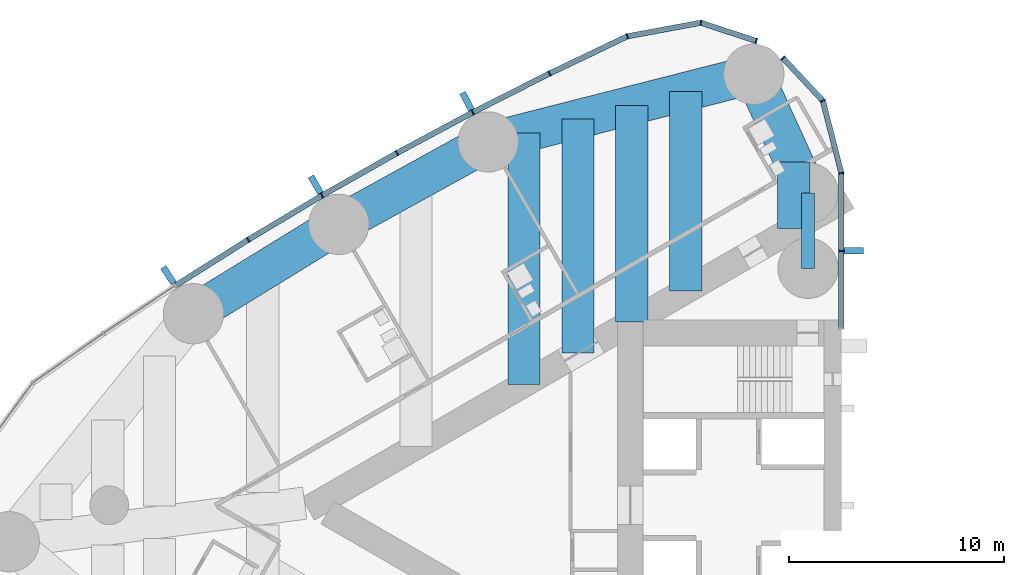
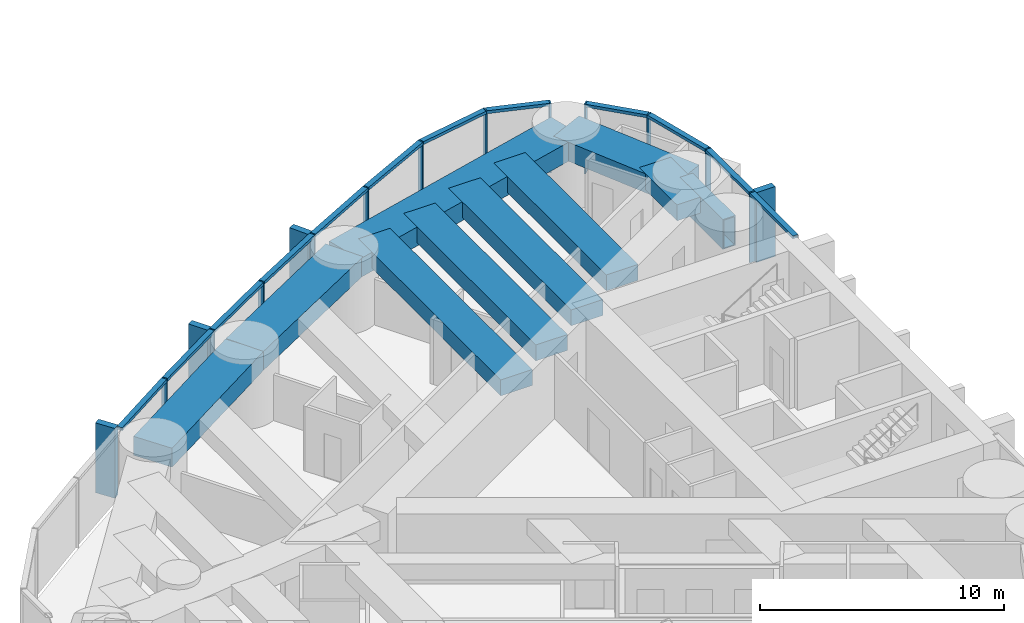
# One storey, part 5 of 19: 28 members, 10 beams, 2 elements without a shape of their own.
"""IFC4 building model written with IfcOpenShell, lengths in metres."""

from ifc_helpers import new_model, si_unit, direction, frame, origin, origin_2d, place, context, subcontext, project, spatial, rectangle, hollow_rectangle, extrude, material, material_profile, profile_set, type_object, element, aggregate, save


model = new_model("IFC4")

# Units and contexts
model_context = context("Model", 3, precision=1e-05, world=origin(), true_north=direction((0.0, 1.0)))
body_context = subcontext(model_context, "Body", "Model", "MODEL_VIEW")
ifc_project = project(units=[si_unit("LENGTHUNIT", "METRE"), si_unit("AREAUNIT", "SQUARE_METRE"), si_unit("VOLUMEUNIT", "CUBIC_METRE"), si_unit("PLANEANGLEUNIT", "RADIAN"), si_unit("MASSUNIT", "GRAM", prefix="KILO")], contexts=[model_context])

# Site, building, storey
site_placement = place(None, origin())
site = spatial("IfcSite", under=ifc_project, at=site_placement, CompositionType="ELEMENT")
building_placement = place(site_placement, origin())
building = spatial("IfcBuilding", under=site, at=building_placement, Name="Lancet Gate Hotel", CompositionType="ELEMENT")
storey_placement = place(building_placement, frame((0.0, 0.0, 191.300048828125)))
storey = spatial("IfcBuildingStorey", under=building, at=storey_placement, Name="L51", CompositionType="ELEMENT", Elevation=191.300048828125)

# Curtain wall, members
ifc_material_1 = material(Name="Aluminium curtain wall", Category="aluminium")
curtain_wall_type = type_object("IfcCurtainWallType", Name="Tower unitised curtain wall", PredefinedType="USERDEFINED", material=ifc_material_1)
curtain_wall_1_placement = place(storey_placement, origin())
curtain_wall_1 = element("IfcCurtainWall", 1, at=curtain_wall_1_placement, inside=storey, type_object=curtain_wall_type, Name="T1 L51 curtain wall 1", ObjectType="UNITISED CURTAIN WALL", PredefinedType="USERDEFINED")
ifc_material_2 = material(Name="Aluminium mullion", Category="aluminium")
ifc_material_profile_1 = material_profile(ifc_material_2, rectangle(XDim=0.06494140625, YDim=0.25, at=origin_2d()), Name="MULLION 65x250")
ifc_profile_set_1 = profile_set([ifc_material_profile_1], Name="Aluminium mullion")
member_type_1 = type_object("IfcMemberType", Name="Aluminium mullion 65x250", PredefinedType="MULLION", material=ifc_profile_set_1)
member_1_placement = place(storey_placement, frame((-27.5, 11.811767578125, 0.0), z_axis=(0.0, 0.0, 1.0), x_axis=(0.0, 1.0, 0.0)))
member_1 = element("IfcMember", 2, at=member_1_placement, type_object=member_type_1, Name="T1 L51 curtain wall 1 mullion 2", PredefinedType="MULLION", context=body_context, shape_type="SweptSolid", body=[
    extrude(rectangle(XDim=0.06494140625, YDim=0.25, at=origin_2d()), origin(), (0.0, 0.0, 1.0), 3.5),
])
member_2_placement = place(storey_placement, frame((-27.5, 15.42333984375, 0.0), z_axis=(0.0, 0.0, 1.0), x_axis=(-0.122467472845, 0.992472527627, 0.0)))
member_2 = element("IfcMember", 3, at=member_2_placement, type_object=member_type_1, Name="T1 L51 curtain wall 1 mullion 3", PredefinedType="MULLION", context=body_context, shape_type="SweptSolid", body=[
    extrude(rectangle(XDim=0.06494140625, YDim=0.25, at=origin_2d()), origin(), (0.0, 0.0, 1.0), 3.5),
])
member_3_placement = place(storey_placement, frame((-28.360595703125, 18.7861328125, 0.0), z_axis=(0.0, 0.0, 1.0), x_axis=(-0.452507601198, 0.891760545695, 0.0)))
member_3 = element("IfcMember", 4, at=member_3_placement, type_object=member_type_1, Name="T1 L51 curtain wall 1 mullion 4", PredefinedType="MULLION", context=body_context, shape_type="SweptSolid", body=[
    extrude(rectangle(XDim=0.06494140625, YDim=0.25, at=origin_2d()), origin(), (0.0, 0.0, 1.0), 3.5),
])
member_4_placement = place(storey_placement, frame((-30.210693359375, 20.765625, 0.0), z_axis=(0.0, 0.0, 1.0), x_axis=(-0.682844962172, 0.730563315282, 0.0)))
member_4 = element("IfcMember", 5, at=member_4_placement, type_object=member_type_1, Name="T1 L51 curtain wall 1 mullion 5", PredefinedType="MULLION", context=body_context, shape_type="SweptSolid", body=[
    extrude(rectangle(XDim=0.06494140625, YDim=0.25, at=origin_2d()), origin(), (0.0, 0.0, 1.0), 3.5),
])

curtain_wall_2_placement = place(storey_placement, origin())
curtain_wall_2 = element("IfcCurtainWall", 6, at=curtain_wall_2_placement, inside=storey, type_object=curtain_wall_type, Name="T1 L51 curtain wall 2", ObjectType="UNITISED CURTAIN WALL", PredefinedType="USERDEFINED")
member_5_placement = place(storey_placement, frame((-31.45263671875, 21.5595703125, 0.0), z_axis=(0.0, 0.0, 1.0), x_axis=(-0.949848055084, 0.312711803827, 0.0)))
member_5 = element("IfcMember", 7, at=member_5_placement, type_object=member_type_1, Name="T1 L51 curtain wall 2 mullion 1", PredefinedType="MULLION", context=body_context, shape_type="SweptSolid", body=[
    extrude(rectangle(XDim=0.06494140625, YDim=0.25, at=origin_2d()), origin(), (0.0, 0.0, 1.0), 3.5),
])
member_6_placement = place(storey_placement, frame((-34.02783203125, 22.407470703125, 0.0), z_axis=(0.0, 0.0, 1.0), x_axis=(-0.999350473622, 0.036036521361, 0.0)))
member_6 = element("IfcMember", 8, at=member_6_placement, type_object=member_type_1, Name="T1 L51 curtain wall 2 mullion 2", PredefinedType="MULLION", context=body_context, shape_type="SweptSolid", body=[
    extrude(rectangle(XDim=0.06494140625, YDim=0.25, at=origin_2d()), origin(), (0.0, 0.0, 1.0), 3.5),
])
member_7_placement = place(storey_placement, frame((-37.44091796875, 21.775634765625, 0.0), z_axis=(0.0, 0.0, 1.0), x_axis=(-0.948119321052, -0.317914694609, 0.0)))
member_7 = element("IfcMember", 9, at=member_7_placement, type_object=member_type_1, Name="T1 L51 curtain wall 2 mullion 3", PredefinedType="MULLION", context=body_context, shape_type="SweptSolid", body=[
    extrude(rectangle(XDim=0.06494140625, YDim=0.25, at=origin_2d()), origin(), (0.0, 0.0, 1.0), 3.5),
])
member_8_placement = place(storey_placement, frame((-41.0498046875, 20.052978515625, 0.0), z_axis=(0.0, 0.0, 1.0), x_axis=(-0.897324392142, -0.441371652088, 0.0)))
member_8 = element("IfcMember", 10, at=member_8_placement, type_object=member_type_1, Name="T1 L51 curtain wall 2 mullion 4", PredefinedType="MULLION", context=body_context, shape_type="SweptSolid", body=[
    extrude(rectangle(XDim=0.06494140625, YDim=0.25, at=origin_2d()), origin(), (0.0, 0.0, 1.0), 3.5),
])
member_9_placement = place(storey_placement, frame((-44.6171875, 18.245849609375, 0.0), z_axis=(0.0, 0.0, 1.0), x_axis=(-0.886694440064, -0.462355891019, 0.0)))
member_9 = element("IfcMember", 11, at=member_9_placement, type_object=member_type_1, Name="T1 L51 curtain wall 2 mullion 5", PredefinedType="MULLION", context=body_context, shape_type="SweptSolid", body=[
    extrude(rectangle(XDim=0.06494140625, YDim=0.25, at=origin_2d()), origin(), (0.0, 0.0, 1.0), 3.5),
])
member_10_placement = place(storey_placement, frame((-48.140869140625, 16.355224609375, 0.0), z_axis=(0.0, 0.0, 1.0), x_axis=(-0.87557384965, -0.483084292654, 0.0)))
member_10 = element("IfcMember", 12, at=member_10_placement, type_object=member_type_1, Name="T1 L51 curtain wall 2 mullion 6", PredefinedType="MULLION", context=body_context, shape_type="SweptSolid", body=[
    extrude(rectangle(XDim=0.06494140625, YDim=0.25, at=origin_2d()), origin(), (0.0, 0.0, 1.0), 3.5),
])
member_11_placement = place(storey_placement, frame((-51.619384765625, 14.38232421875, 0.0), z_axis=(0.0, 0.0, 1.0), x_axis=(-0.863968774311, -0.503545387245, 0.0)))
member_11 = element("IfcMember", 13, at=member_11_placement, type_object=member_type_1, Name="T1 L51 curtain wall 2 mullion 7", PredefinedType="MULLION", context=body_context, shape_type="SweptSolid", body=[
    extrude(rectangle(XDim=0.06494140625, YDim=0.25, at=origin_2d()), origin(), (0.0, 0.0, 1.0), 3.5),
])
member_12_placement = place(storey_placement, frame((-55.05029296875, 12.328369140625, 0.0), z_axis=(0.0, 0.0, 1.0), x_axis=(-0.851885635531, -0.52372785297, 0.0)))
member_12 = element("IfcMember", 14, at=member_12_placement, type_object=member_type_1, Name="T1 L51 curtain wall 2 mullion 8", PredefinedType="MULLION", context=body_context, shape_type="SweptSolid", body=[
    extrude(rectangle(XDim=0.06494140625, YDim=0.25, at=origin_2d()), origin(), (0.0, 0.0, 1.0), 3.5),
])

# Member
ifc_material_3 = material(Name="Aluminium transom", Category="aluminium")
ifc_material_profile_2 = material_profile(ifc_material_3, rectangle(XDim=0.25, YDim=0.14990234375, at=origin_2d()), Name="TRANSOM 250x150")
ifc_profile_set_2 = profile_set([ifc_material_profile_2], Name="Aluminium transom")
member_type_2 = type_object("IfcMemberType", Name="Aluminium transom 250x150", PredefinedType="USERDEFINED", material=ifc_profile_set_2)
member_13_placement = place(storey_placement, frame((-27.5, 8.232421875, 3.425048828125), z_axis=(0.0, 1.0, 0.0), x_axis=(-1.0, 0.0, 0.0)))
member_13 = element("IfcMember", 15, at=member_13_placement, type_object=member_type_2, Name="T1 L51 curtain wall 1 transom 1", ObjectType="TRANSOM", PredefinedType="USERDEFINED", context=body_context, shape_type="SweptSolid", body=[
    extrude(rectangle(XDim=0.25, YDim=0.14990234375, at=origin_2d()), origin(), (0.0, 0.0, 1.0), 3.546875),
])

member_14_placement = place(storey_placement, frame((-27.5, 11.84423828125, 3.425048828125), z_axis=(0.0, 1.0, 0.0), x_axis=(-1.0, 0.0, 0.0)))
member_14 = element("IfcMember", 16, at=member_14_placement, type_object=member_type_2, Name="T1 L51 curtain wall 1 transom 2", ObjectType="TRANSOM", PredefinedType="USERDEFINED", context=body_context, shape_type="SweptSolid", body=[
    extrude(rectangle(XDim=0.25, YDim=0.14990234375, at=origin_2d()), origin(), (0.0, 0.0, 1.0), 3.546630859375),
])

member_15_placement = place(storey_placement, frame((-27.508056640625, 15.454833984375, 3.425048828125), z_axis=(-0.247928683912, 0.968778286139, 0.0), x_axis=(-0.968778286139, -0.247928683912, 0.0)))
member_15 = element("IfcMember", 17, at=member_15_placement, type_object=member_type_2, Name="T1 L51 curtain wall 1 transom 3", ObjectType="TRANSOM", PredefinedType="USERDEFINED", context=body_context, shape_type="SweptSolid", body=[
    extrude(rectangle(XDim=0.25, YDim=0.14990234375, at=origin_2d()), origin(), (0.0, 0.0, 1.0), 3.40625),
])

member_16_placement = place(storey_placement, frame((-28.3828125, 18.809814453125, 3.425048828125), z_axis=(-0.682841037959, 0.730566983157, 0.0), x_axis=(-0.730566983157, -0.682841037959, 0.0)))
member_16 = element("IfcMember", 18, at=member_16_placement, type_object=member_type_2, Name="T1 L51 curtain wall 1 transom 4", ObjectType="TRANSOM", PredefinedType="USERDEFINED", context=body_context, shape_type="SweptSolid", body=[
    extrude(rectangle(XDim=0.25, YDim=0.14990234375, at=origin_2d()), origin(), (0.0, 0.0, 1.0), 2.644775390625),
])

member_17_placement = place(storey_placement, frame((-31.483642578125, 21.56982421875, 3.425048828125), z_axis=(-0.949857661259, 0.312682623993, 0.0), x_axis=(-0.312682623993, -0.949857661259, 0.0)))
member_17 = element("IfcMember", 19, at=member_17_placement, type_object=member_type_2, Name="T1 L51 curtain wall 2 transom 1", ObjectType="TRANSOM", PredefinedType="USERDEFINED", context=body_context, shape_type="SweptSolid", body=[
    extrude(rectangle(XDim=0.25, YDim=0.14990234375, at=origin_2d()), origin(), (0.0, 0.0, 1.0), 2.64599609375),
])

member_18_placement = place(storey_placement, frame((-34.059814453125, 22.401611328125, 3.425048828125), z_axis=(-0.983286757871, -0.182063592724, 0.0), x_axis=(0.182063592724, -0.983286757871, 0.0)))
member_18 = element("IfcMember", 20, at=member_18_placement, type_object=member_type_2, Name="T1 L51 curtain wall 2 transom 2", ObjectType="TRANSOM", PredefinedType="USERDEFINED", context=body_context, shape_type="SweptSolid", body=[
    extrude(rectangle(XDim=0.25, YDim=0.14990234375, at=origin_2d()), origin(), (0.0, 0.0, 1.0), 3.406005859375),
])

member_19_placement = place(storey_placement, frame((-37.47021484375, 21.761474609375, 3.425048828125), z_axis=(-0.902468975385, -0.430754858902, 0.0), x_axis=(0.430754858902, -0.902468975385, 0.0)))
member_19 = element("IfcMember", 21, at=member_19_placement, type_object=member_type_2, Name="T1 L51 curtain wall 2 transom 3", ObjectType="TRANSOM", PredefinedType="USERDEFINED", context=body_context, shape_type="SweptSolid", body=[
    extrude(rectangle(XDim=0.25, YDim=0.14990234375, at=origin_2d()), origin(), (0.0, 0.0, 1.0), 3.93408203125),
])

member_20_placement = place(storey_placement, frame((-41.078857421875, 20.0380859375, 3.425048828125), z_axis=(-0.892081477453, -0.451874581699, 0.0), x_axis=(0.451874581699, -0.892081477453, 0.0)))
member_20 = element("IfcMember", 22, at=member_20_placement, type_object=member_type_2, Name="T1 L51 curtain wall 2 transom 4", ObjectType="TRANSOM", PredefinedType="USERDEFINED", context=body_context, shape_type="SweptSolid", body=[
    extrude(rectangle(XDim=0.25, YDim=0.14990234375, at=origin_2d()), origin(), (0.0, 0.0, 1.0), 3.933837890625),
])

member_21_placement = place(storey_placement, frame((-44.645751953125, 18.23046875, 3.425048828125), z_axis=(-0.881185491994, -0.472770693571, 0.0), x_axis=(0.472770693571, -0.881185491994, 0.0)))
member_21 = element("IfcMember", 23, at=member_21_placement, type_object=member_type_2, Name="T1 L51 curtain wall 2 transom 5", ObjectType="TRANSOM", PredefinedType="USERDEFINED", context=body_context, shape_type="SweptSolid", body=[
    extrude(rectangle(XDim=0.25, YDim=0.14990234375, at=origin_2d()), origin(), (0.0, 0.0, 1.0), 3.93408203125),
])

member_22_placement = place(storey_placement, frame((-48.169189453125, 16.33935546875, 3.425048828125), z_axis=(-0.869819807367, -0.493369539709, 0.0), x_axis=(0.493369539709, -0.869819807367, 0.0)))
member_22 = element("IfcMember", 24, at=member_22_placement, type_object=member_type_2, Name="T1 L51 curtain wall 2 transom 6", ObjectType="TRANSOM", PredefinedType="USERDEFINED", context=body_context, shape_type="SweptSolid", body=[
    extrude(rectangle(XDim=0.25, YDim=0.14990234375, at=origin_2d()), origin(), (0.0, 0.0, 1.0), 3.93408203125),
])

member_23_placement = place(storey_placement, frame((-51.647216796875, 14.36572265625, 3.425048828125), z_axis=(-0.857985365092, -0.513674131419, 0.0), x_axis=(0.513674131419, -0.857985365092, 0.0)))
member_23 = element("IfcMember", 25, at=member_23_placement, type_object=member_type_2, Name="T1 L51 curtain wall 2 transom 7", ObjectType="TRANSOM", PredefinedType="USERDEFINED", context=body_context, shape_type="SweptSolid", body=[
    extrude(rectangle(XDim=0.25, YDim=0.14990234375, at=origin_2d()), origin(), (0.0, 0.0, 1.0), 3.933837890625),
])

member_24_placement = place(storey_placement, frame((-55.077880859375, 12.31103515625, 3.425048828125), z_axis=(-0.845671711095, -0.53370343549, 0.0), x_axis=(0.53370343549, -0.845671711095, 0.0)))
member_24 = element("IfcMember", 26, at=member_24_placement, type_object=member_type_2, Name="T1 L51 curtain wall 2 transom 8", ObjectType="TRANSOM", PredefinedType="USERDEFINED", context=body_context, shape_type="SweptSolid", body=[
    extrude(rectangle(XDim=0.25, YDim=0.14990234375, at=origin_2d()), origin(), (0.0, 0.0, 1.0), 3.93408203125),
])

# Beams
ifc_material_4 = material(Name="Concrete C50/60", Category="concrete")
ifc_material_profile_3 = material_profile(ifc_material_4, rectangle(XDim=1.800048828125, YDim=0.949951171875, at=origin_2d()), Name="RC 1800x950")
ifc_profile_set_3 = profile_set([ifc_material_profile_3], Name="Concrete C50/60")
beam_type_1 = type_object("IfcBeamType", Name="Edge beam RC 1800x950", PredefinedType="SPANDREL", material=ifc_profile_set_3)
beam_1_placement = place(storey_placement, frame((-31.5654296875, 20.015869140625, 2.77490234375), z_axis=(-0.969008414312, -0.247027717052, 0.0), x_axis=(0.247027717052, -0.969008414312, 0.0)))
element("IfcBeam", 27, at=beam_1_placement, inside=storey, type_object=beam_type_1, Name="T1 edge beam EB1 L51", PredefinedType="SPANDREL", context=body_context, shape_type="SweptSolid", body=[
    extrude(rectangle(XDim=1.800048828125, YDim=0.949951171875, at=origin_2d()), origin(), (0.0, 0.0, 1.0), 12.7294921875),
])
beam_2_placement = place(storey_placement, frame((-43.900390625, 16.871337890625, 2.77490234375), z_axis=(-0.875577684027, -0.483077342911, 0.0), x_axis=(0.483077342911, -0.875577684027, 0.0)))
element("IfcBeam", 28, at=beam_2_placement, inside=storey, type_object=beam_type_1, Name="T1 edge beam EB1 L51", PredefinedType="SPANDREL", context=body_context, shape_type="SweptSolid", body=[
    extrude(rectangle(XDim=1.800048828125, YDim=0.949951171875, at=origin_2d()), origin(), (0.0, 0.0, 1.0), 7.924560546875),
])
beam_3_placement = place(storey_placement, frame((-50.8388671875, 13.043212890625, 2.77490234375), z_axis=(-0.851892008043, -0.523717487423, 0.0), x_axis=(0.523717487423, -0.851892008043, 0.0)))
element("IfcBeam", 29, at=beam_3_placement, inside=storey, type_object=beam_type_1, Name="T1 edge beam EB1 L51", PredefinedType="SPANDREL", context=body_context, shape_type="SweptSolid", body=[
    extrude(rectangle(XDim=1.800048828125, YDim=0.949951171875, at=origin_2d()), origin(), (0.0, 0.0, 1.0), 7.92431640625),
])
beam_4_placement = place(storey_placement, frame((-31.5654296875, 20.015869140625, 2.77490234375), z_axis=(0.414919206993, -0.909858259109, 0.0), x_axis=(0.909858259109, 0.414919206993, 0.0)))
element("IfcBeam", 30, at=beam_4_placement, inside=storey, type_object=beam_type_1, Name="T1 edge beam EB1 L51", PredefinedType="SPANDREL", context=body_context, shape_type="SweptSolid", body=[
    extrude(rectangle(XDim=1.800048828125, YDim=0.949951171875, at=origin_2d()), origin(), (0.0, 0.0, 1.0), 6.062255859375),
])

# Member
ifc_material_5 = material(Name="Precast concrete C50/60", Category="concrete")
ifc_material_profile_4 = material_profile(ifc_material_5, rectangle(XDim=0.300048828125, YDim=0.89990234375, at=origin_2d()), Name="FIN 300x900")
ifc_profile_set_4 = profile_set([ifc_material_profile_4], Name="Precast concrete C50/60")
member_type_3 = type_object("IfcMemberType", Name="Exposed concrete fin 300x900", PredefinedType="USERDEFINED", material=ifc_profile_set_4)
member_25_placement = place(storey_placement, frame((-26.925048828125, 11.811767578125, 0.0), z_axis=(0.0, 0.0, 1.0), x_axis=(0.0, 1.0, 0.0)))
member_25 = element("IfcMember", 31, at=member_25_placement, type_object=member_type_3, Name="T1 L51 curtain wall 1 fin 2", ObjectType="FIN", PredefinedType="USERDEFINED", context=body_context, shape_type="SweptSolid", body=[
    extrude(rectangle(XDim=0.300048828125, YDim=0.89990234375, at=origin_2d()), origin(), (0.0, 0.0, 1.0), 3.5),
])

aggregate(curtain_wall_1, [member_1, member_25, member_2, member_3, member_4, member_13, member_14, member_15, member_16])

member_26_placement = place(storey_placement, frame((-44.883056640625, 18.755615234375, 0.0), z_axis=(0.0, 0.0, 1.0), x_axis=(-0.886694440064, -0.462355891019, 0.0)))
member_26 = element("IfcMember", 32, at=member_26_placement, type_object=member_type_3, Name="T1 L51 curtain wall 2 fin 5", ObjectType="FIN", PredefinedType="USERDEFINED", context=body_context, shape_type="SweptSolid", body=[
    extrude(rectangle(XDim=0.300048828125, YDim=0.89990234375, at=origin_2d()), origin(), (0.0, 0.0, 1.0), 3.5),
])

member_27_placement = place(storey_placement, frame((-51.908935546875, 14.879150390625, 0.0), z_axis=(0.0, 0.0, 1.0), x_axis=(-0.863968774311, -0.503545387245, 0.0)))
member_27 = element("IfcMember", 33, at=member_27_placement, type_object=member_type_3, Name="T1 L51 curtain wall 2 fin 7", ObjectType="FIN", PredefinedType="USERDEFINED", context=body_context, shape_type="SweptSolid", body=[
    extrude(rectangle(XDim=0.300048828125, YDim=0.89990234375, at=origin_2d()), origin(), (0.0, 0.0, 1.0), 3.5),
])

member_28_placement = place(storey_placement, frame((-58.74462890625, 10.6767578125, 0.0), z_axis=(0.0, 0.0, 1.0), x_axis=(-0.839331119324, -0.54362052218, 0.0)))
member_28 = element("IfcMember", 34, at=member_28_placement, type_object=member_type_3, Name="T1 L51 curtain wall 2 fin 9", ObjectType="FIN", PredefinedType="USERDEFINED", context=body_context, shape_type="SweptSolid", body=[
    extrude(rectangle(XDim=0.300048828125, YDim=0.89990234375, at=origin_2d()), origin(), (0.0, 0.0, 1.0), 3.5),
])

aggregate(curtain_wall_2, [member_5, member_6, member_7, member_8, member_9, member_26, member_10, member_11, member_27, member_12, member_28, member_17, member_18, member_19, member_20, member_21, member_22, member_23, member_24])

# Beams
ifc_material_6 = material(Name="Concrete C50/60", Category="concrete")
ifc_material_profile_5 = material_profile(ifc_material_6, rectangle(XDim=1.5, YDim=0.800048828125, at=origin_2d()), Name="RC 1500x800")
ifc_profile_set_5 = profile_set([ifc_material_profile_5], Name="Concrete C50/60")
beam_type_2 = type_object("IfcBeamType", Name="Floor beam RC 1500x800", PredefinedType="BEAM", material=ifc_profile_set_5)
beam_5_placement = place(storey_placement, frame((-29.706787109375, 15.940185546875, 2.849853515625), z_axis=(0.0, -1.0, 0.0), x_axis=(1.0, 0.0, 0.0)))
element("IfcBeam", 35, at=beam_5_placement, inside=storey, type_object=beam_type_2, Name="T1 floor beam F01S L51", PredefinedType="BEAM", context=body_context, shape_type="SweptSolid", body=[
    extrude(rectangle(XDim=1.5, YDim=0.800048828125, at=origin_2d()), origin(), (0.0, 0.0, 1.0), 3.087646484375),
])
beam_6_placement = place(storey_placement, frame((-34.720458984375, 19.211669921875, 2.849853515625), z_axis=(0.0, -1.0, 0.0), x_axis=(1.0, 0.0, 0.0)))
element("IfcBeam", 36, at=beam_6_placement, inside=storey, type_object=beam_type_2, Name="T1 floor beam F03S L51", PredefinedType="BEAM", context=body_context, shape_type="SweptSolid", body=[
    extrude(rectangle(XDim=1.5, YDim=0.800048828125, at=origin_2d()), origin(), (0.0, 0.0, 1.0), 9.253662109375),
])
beam_7_placement = place(storey_placement, frame((-37.227294921875, 18.572509765625, 2.849853515625), z_axis=(0.0, -1.0, 0.0), x_axis=(1.0, 0.0, 0.0)))
element("IfcBeam", 37, at=beam_7_placement, inside=storey, type_object=beam_type_2, Name="T1 floor beam F04S L51", PredefinedType="BEAM", context=body_context, shape_type="SweptSolid", body=[
    extrude(rectangle(XDim=1.5, YDim=0.800048828125, at=origin_2d()), origin(), (0.0, 0.0, 1.0), 10.061767578125),
])
beam_8_placement = place(storey_placement, frame((-39.734130859375, 17.93359375, 2.849853515625), z_axis=(0.0, -1.0, 0.0), x_axis=(1.0, 0.0, 0.0)))
element("IfcBeam", 38, at=beam_8_placement, inside=storey, type_object=beam_type_2, Name="T1 floor beam F06S L51", PredefinedType="BEAM", context=body_context, shape_type="SweptSolid", body=[
    extrude(rectangle(XDim=1.5, YDim=0.800048828125, at=origin_2d()), origin(), (0.0, 0.0, 1.0), 10.8701171875),
])
beam_9_placement = place(storey_placement, frame((-42.240966796875, 17.29443359375, 2.849853515625), z_axis=(0.0, -1.0, 0.0), x_axis=(1.0, 0.0, 0.0)))
element("IfcBeam", 39, at=beam_9_placement, inside=storey, type_object=beam_type_2, Name="T1 floor beam F07S L51", PredefinedType="BEAM", context=body_context, shape_type="SweptSolid", body=[
    extrude(rectangle(XDim=1.5, YDim=0.800048828125, at=origin_2d()), origin(), (0.0, 0.0, 1.0), 11.678466796875),
])
ifc_material_7 = material(Name="Steel S460QL", Category="steel")
ifc_material_profile_6 = material_profile(ifc_material_7, hollow_rectangle(XDim=0.60009765625, YDim=1.5, WallThickness=0.050048828125, at=origin_2d()), Name="BOX 1500x600x50")
ifc_profile_set_6 = profile_set([ifc_material_profile_6], Name="Steel S460QL")
beam_type_3 = type_object("IfcBeamType", Name="Inner-face link beam BOX 1500x600x50", PredefinedType="BEAM", material=ifc_profile_set_6)
beam_10_placement = place(storey_placement, frame((-29.050048828125, 14.5, 2.5), z_axis=(0.0, -1.0, 0.0), x_axis=(1.0, 0.0, 0.0)))
element("IfcBeam", 40, at=beam_10_placement, inside=storey, type_object=beam_type_3, Name="T1 inner-face link beam LK1 L51", PredefinedType="BEAM", context=body_context, shape_type="SweptSolid", body=[
    extrude(hollow_rectangle(XDim=0.60009765625, YDim=1.5, WallThickness=0.050048828125, at=origin_2d()), origin(), (0.0, 0.0, 1.0), 3.5),
])

save(model, "model.ifc")
